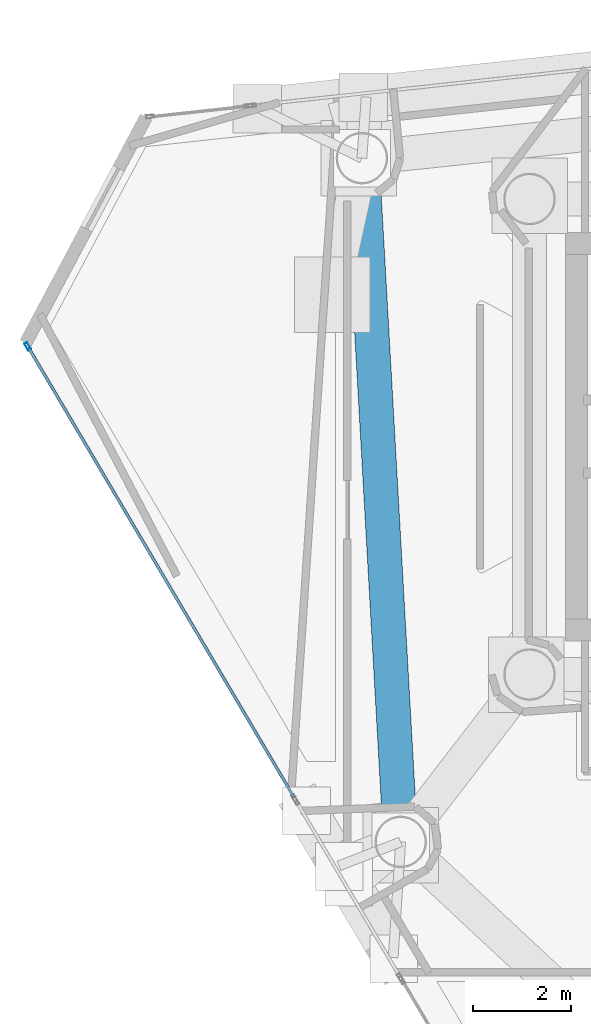
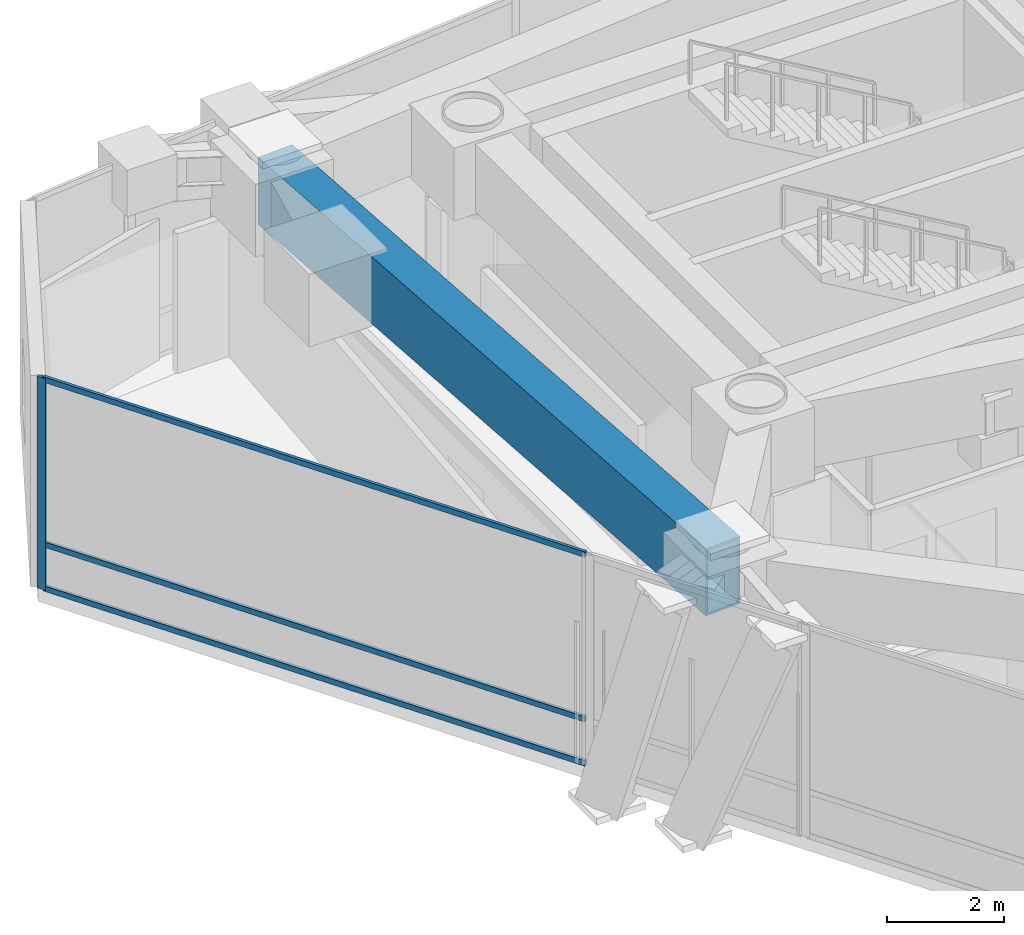
# One storey, part 7 of 21: 4 members, 1 beam, 1 element without a shape of its own.
"""IFC4 building model written with IfcOpenShell, lengths in metres."""

from ifc_helpers import new_model, si_unit, direction, frame, origin, origin_2d, place, context, subcontext, project, spatial, hollow_rectangle, extrude, material, layer, layer_set, material_profile, profile_set, type_object, element, aggregate, save


model = new_model("IFC4")

# Units and contexts
model_context = context("Model", 3, precision=1e-05, world=origin(), true_north=direction((0.0, 1.0)))
body_context = subcontext(model_context, "Body", "Model", "MODEL_VIEW")
ifc_project = project(units=[si_unit("LENGTHUNIT", "METRE"), si_unit("AREAUNIT", "SQUARE_METRE"), si_unit("VOLUMEUNIT", "CUBIC_METRE"), si_unit("PLANEANGLEUNIT", "RADIAN"), si_unit("MASSUNIT", "GRAM", prefix="KILO")], contexts=[model_context])

# Site, building, storey
site_placement = place(None, origin())
site = spatial("IfcSite", under=ifc_project, at=site_placement, CompositionType="ELEMENT")
building_placement = place(site_placement, origin())
building = spatial("IfcBuilding", under=site, at=building_placement, Name="Qianvela Tower", CompositionType="ELEMENT")
storey_placement = place(building_placement, frame((0.0, 0.0, 276.0)))
storey = spatial("IfcBuildingStorey", under=building, at=storey_placement, Name="L71", CompositionType="ELEMENT", Elevation=276.0)

# Beam
ifc_material_1 = material(Name="Steel Q420GJC", Category="steel")
ifc_material_profile_1 = material_profile(ifc_material_1, hollow_rectangle(XDim=0.699951171875, YDim=1.39990234375, WallThickness=0.0400390625, at=origin_2d()), Name="TG-BOX-1400x700x40")
ifc_profile_set_1 = profile_set([ifc_material_profile_1], Name="Steel Q420GJC")
beam_type = type_object("IfcBeamType", Name="BM-TG-RAD-1400", PredefinedType="BEAM", material=ifc_profile_set_1)
beam_placement = place(storey_placement, frame((25.181884765625, 34.384033203125, 3.718017578125), z_axis=(0.056555056691, -0.998399481952, 0.0), x_axis=(0.998399481952, 0.056555056691, 0.0)))
element("IfcBeam", 1, at=beam_placement, inside=storey, type_object=beam_type, Name="L71 Perimeter Belt-Truss Top Ring Girder 3", PredefinedType="BEAM", context=body_context, shape_type="SweptSolid", body=[
    extrude(hollow_rectangle(XDim=0.699951171875, YDim=1.39990234375, WallThickness=0.0400390625, at=origin_2d()), origin(), (0.0, 0.0, 1.0), 13.969482421875),
])

# Curtain wall, members
ifc_material_2 = material(Name="Anodised Architectural Aluminium and Low-E Glass", Category="aluminium")
ifc_layer = layer(ifc_material_2, 0.159912109375)
ifc_layer_set = layer_set([ifc_layer], Name="Anodised Architectural Aluminium and Low-E Glass")
curtain_wall_type = type_object("IfcCurtainWallType", Name="CW-COLIV-Z56", PredefinedType="USERDEFINED", material=ifc_layer_set)
curtain_wall_placement = place(storey_placement, origin())
curtain_wall = element("IfcCurtainWall", 2, at=curtain_wall_placement, inside=storey, type_object=curtain_wall_type, Name="L71 CW-COLIV-Z56 Curtain Wall 04A", ObjectType="CURTAIN_WALL_SYSTEM", PredefinedType="USERDEFINED")
ifc_material_3 = material(Name="Anodised Architectural Aluminium 6063-T6", Category="aluminium")
ifc_material_profile_2 = material_profile(ifc_material_3, hollow_rectangle(XDim=0.06494140625, YDim=0.159912109375, WallThickness=0.0048828125, at=origin_2d()), Name="ALU-MULL-65x160")
ifc_profile_set_2 = profile_set([ifc_material_profile_2], Name="Anodised Architectural Aluminium 6063-T6")
member_type_1 = type_object("IfcMemberType", Name="CW-COLIV-Z56-MULL", PredefinedType="MULLION", material=ifc_profile_set_2)
member_1_placement = place(storey_placement, frame((18.364013671875, 30.544921875, 0.0), z_axis=(0.0, 0.0, 1.0), x_axis=(0.861096909896, 0.50844086359, 0.0)))
member_1 = element("IfcMember", 3, at=member_1_placement, type_object=member_type_1, Name="CW-5 mullion 1", PredefinedType="MULLION", context=body_context, shape_type="SweptSolid", body=[
    extrude(hollow_rectangle(XDim=0.06494140625, YDim=0.159912109375, WallThickness=0.0048828125, at=origin_2d()), origin(), (0.0, 0.0, 1.0), 4.419921875),
])
ifc_material_4 = material(Name="Anodised Architectural Aluminium 6063-T6", Category="aluminium")
ifc_material_profile_3 = material_profile(ifc_material_4, hollow_rectangle(XDim=0.06005859375, YDim=0.114990234375, WallThickness=0.00390625, at=origin_2d()), Name="ALU-TRAN-60x115")
ifc_profile_set_3 = profile_set([ifc_material_profile_3], Name="Anodised Architectural Aluminium 6063-T6")
member_type_2 = type_object("IfcMemberType", Name="CW-COLIV-Z56-TRAN", PredefinedType="USERDEFINED", material=ifc_profile_set_3)
member_2_placement = place(storey_placement, frame((18.380615234375, 30.51708984375, 0.030029296875), z_axis=(0.508429336499, -0.861103716045, 0.0), x_axis=(0.861103716045, 0.508429336499, 0.0)))
member_2 = element("IfcMember", 4, at=member_2_placement, type_object=member_type_2, Name="CW-5 transom 1.1", ObjectType="TRANSOM", PredefinedType="USERDEFINED", context=body_context, shape_type="SweptSolid", body=[
    extrude(hollow_rectangle(XDim=0.06005859375, YDim=0.114990234375, WallThickness=0.00390625, at=origin_2d()), origin(), (0.0, 0.0, 1.0), 10.639892578125),
])
member_3_placement = place(storey_placement, frame((18.380615234375, 30.51708984375, 0.949951171875), z_axis=(0.508429336499, -0.861103716045, 0.0), x_axis=(0.861103716045, 0.508429336499, 0.0)))
member_3 = element("IfcMember", 5, at=member_3_placement, type_object=member_type_2, Name="CW-5 transom 1.2", ObjectType="TRANSOM", PredefinedType="USERDEFINED", context=body_context, shape_type="SweptSolid", body=[
    extrude(hollow_rectangle(XDim=0.06005859375, YDim=0.114990234375, WallThickness=0.00390625, at=origin_2d()), origin(), (0.0, 0.0, 1.0), 10.639892578125),
])
member_4_placement = place(storey_placement, frame((18.380615234375, 30.51708984375, 4.389892578125), z_axis=(0.508429336499, -0.861103716045, 0.0), x_axis=(0.861103716045, 0.508429336499, 0.0)))
member_4 = element("IfcMember", 6, at=member_4_placement, type_object=member_type_2, Name="CW-5 transom 1.3", ObjectType="TRANSOM", PredefinedType="USERDEFINED", context=body_context, shape_type="SweptSolid", body=[
    extrude(hollow_rectangle(XDim=0.06005859375, YDim=0.114990234375, WallThickness=0.00390625, at=origin_2d()), origin(), (0.0, 0.0, 1.0), 10.639892578125),
])
aggregate(curtain_wall, [member_1, member_2, member_3, member_4])

save(model, "model.ifc")
